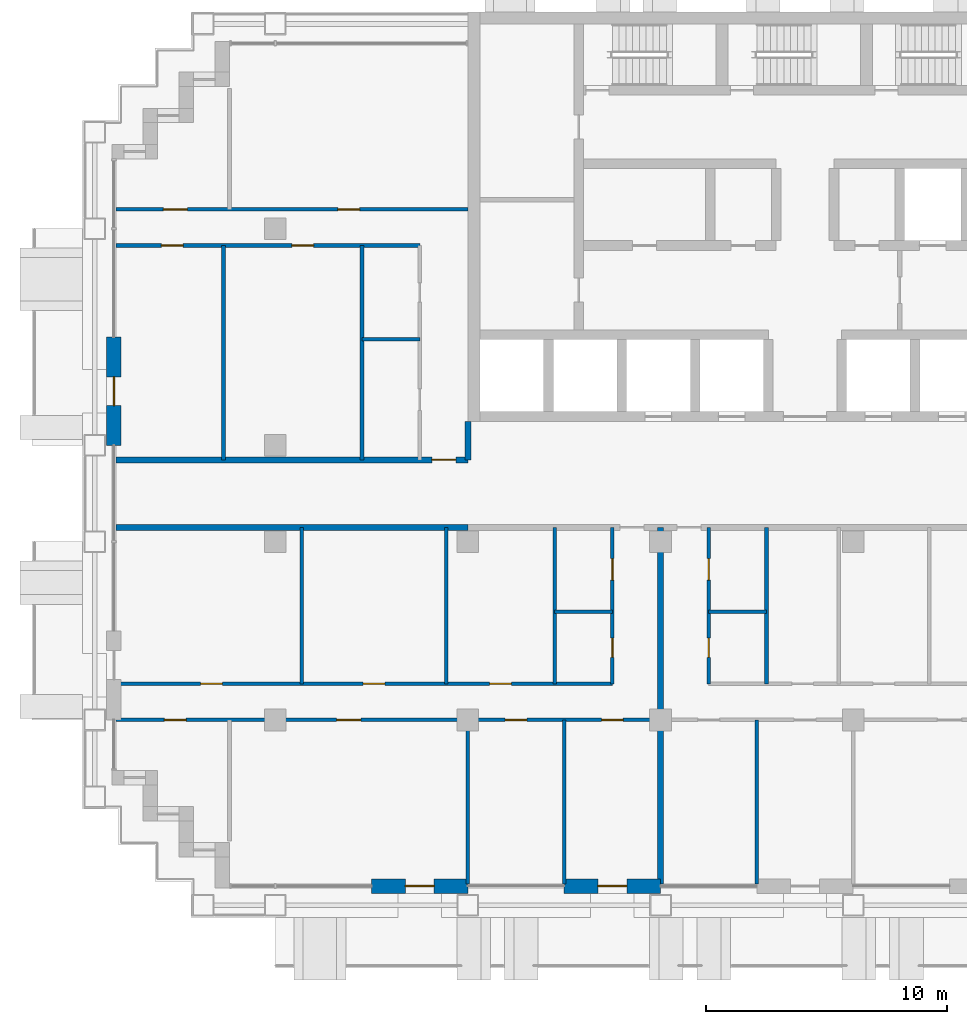
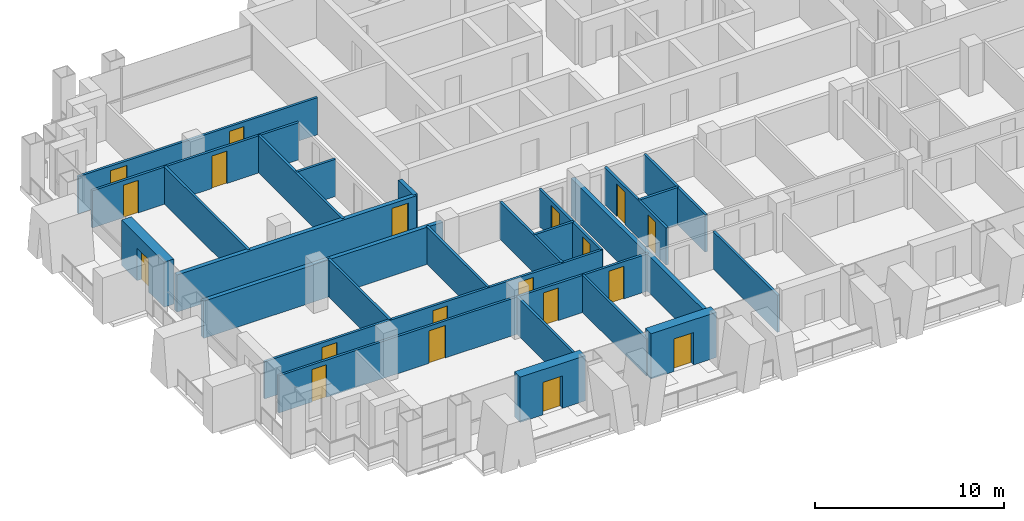
# One storey, part 9 of 18: 25 walls, 19 doors, 19 openings.
"""IFC4 building model written with IfcOpenShell, lengths in metres."""

from ifc_helpers import new_model, si_unit, direction, frame, frame_2d, origin, place, context, subcontext, project, spatial, rectangle, extrude, material, layer, layer_set, type_object, element, fill, save


model = new_model("IFC4")

# Units and contexts
model_context = context("Model", 3, precision=1e-05, world=origin(), true_north=direction((0.0, 1.0)))
body_context = subcontext(model_context, "Body", "Model", "MODEL_VIEW")
ifc_project = project(units=[si_unit("LENGTHUNIT", "METRE"), si_unit("AREAUNIT", "SQUARE_METRE"), si_unit("VOLUMEUNIT", "CUBIC_METRE"), si_unit("PLANEANGLEUNIT", "RADIAN"), si_unit("MASSUNIT", "GRAM", prefix="KILO")], contexts=[model_context])

# Site, building, storey
site_placement = place(None, origin())
site = spatial("IfcSite", under=ifc_project, at=site_placement, CompositionType="ELEMENT")
building_placement = place(site_placement, origin())
building = spatial("IfcBuilding", under=site, at=building_placement, Name="Vidyagriha Tower", CompositionType="ELEMENT")
storey_placement = place(building_placement, frame((0.0, 0.0, 83.89990234375)))
storey = spatial("IfcBuildingStorey", under=building, at=storey_placement, Name="L21", CompositionType="ELEMENT", Elevation=83.89990234375)

# Wall, opening, door
ifc_material_1 = material(Name="Precast concrete C40/50 with brick facing", Category="concrete")
ifc_layer_1 = layer(ifc_material_1, 0.60009765625)
ifc_layer_set_1 = layer_set([ifc_layer_1], Name="Precast concrete C40/50 with brick facing")
wall_type_1 = type_object("IfcWallType", Name="Brick-faced precast wall 600", PredefinedType="STANDARD", material=ifc_layer_set_1)
wall_1_placement = place(storey_placement, frame((-28.699951171875, 6.5, 0.0), z_axis=(0.0, 0.0, 1.0), x_axis=(0.0, -1.0, 0.0)))
wall_1 = element("IfcWall", 1, at=wall_1_placement, inside=storey, type_object=wall_type_1, Name="Brick door bay wall L21 R16.3", PredefinedType="STANDARD", context=body_context, shape_type="SweptSolid", body=[
    extrude(rectangle(XDim=4.5, YDim=0.60009765625, at=frame_2d((2.25, 0.0))), origin(), (0.0, 0.0, 1.0), 2.920166015625),
])
opening_1_placement = place(wall_1_placement, frame((1.64990234375, 0.0, 0.0)))
opening_1 = element("IfcOpeningElement", 2, at=opening_1_placement, cuts=wall_1, Name="Opening D21-72", PredefinedType="OPENING", context=body_context, shape_type="SweptSolid", body=[
    extrude(rectangle(XDim=1.199951171875, YDim=2.10009765625, at=frame_2d((0.60009765625, 1.050048828125))), frame((0.0, 0.31005859375, 0.0), z_axis=(0.0, -1.0, 0.0), x_axis=(1.0, 0.0, 0.0)), (0.0, 0.0, 1.0), 0.6201171875),
])
ifc_material_2 = material(Name="Aluminium framed glazed sliding door", Category="aluminium")
door_type_1 = type_object("IfcDoorType", Name="Balcony sliding door 1200x2100", OperationType="NOTDEFINED", PredefinedType="DOOR", material=ifc_material_2)
door_1_placement = place(opening_1_placement, origin())
door_1 = element("IfcDoor", 3, at=door_1_placement, inside=storey, type_object=door_type_1, Name="Door D21-72", OperationType="SLIDING_TO_LEFT", OverallHeight=2.10009765625, OverallWidth=1.199951171875, PredefinedType="DOOR", context=body_context, shape_type="SweptSolid", body=[
    extrude(rectangle(XDim=1.199951171875, YDim=2.10009765625, at=frame_2d((0.60009765625, 1.050048828125))), frame((0.0, 0.02490234375, 0.0), z_axis=(0.0, -1.0, 0.0), x_axis=(1.0, 0.0, 0.0)), (0.0, 0.0, 1.0), 0.050048828125),
])
fill(opening_1, door_1)

wall_2_placement = place(storey_placement, frame((-18.0, -16.300048828125, 0.0)))
wall_2 = element("IfcWall", 4, at=wall_2_placement, inside=storey, type_object=wall_type_1, Name="Brick door bay wall L21 R23.3", PredefinedType="STANDARD", context=body_context, shape_type="SweptSolid", body=[
    extrude(rectangle(XDim=4.0, YDim=0.60009765625, at=frame_2d((2.0, 0.0))), origin(), (0.0, 0.0, 1.0), 2.920166015625),
])
opening_2_placement = place(wall_2_placement, frame((1.39990234375, 0.0, 0.0)))
opening_2 = element("IfcOpeningElement", 5, at=opening_2_placement, cuts=wall_2, Name="Opening D21-74", PredefinedType="OPENING", context=body_context, shape_type="SweptSolid", body=[
    extrude(rectangle(XDim=1.199951171875, YDim=2.10009765625, at=frame_2d((0.60009765625, 1.050048828125))), frame((0.0, 0.31005859375, 0.0), z_axis=(0.0, -1.0, 0.0), x_axis=(1.0, 0.0, 0.0)), (0.0, 0.0, 1.0), 0.6201171875),
])
door_2_placement = place(opening_2_placement, origin())
door_2 = element("IfcDoor", 6, at=door_2_placement, inside=storey, type_object=door_type_1, Name="Door D21-74", OperationType="SLIDING_TO_LEFT", OverallHeight=2.10009765625, OverallWidth=1.199951171875, PredefinedType="DOOR", context=body_context, shape_type="SweptSolid", body=[
    extrude(rectangle(XDim=1.199951171875, YDim=2.10009765625, at=frame_2d((0.60009765625, 1.050048828125))), frame((0.0, 0.02490234375, 0.0), z_axis=(0.0, -1.0, 0.0), x_axis=(1.0, 0.0, 0.0)), (0.0, 0.0, 1.0), 0.050048828125),
])
fill(opening_2, door_2)

wall_3_placement = place(storey_placement, frame((-10.0, -16.300048828125, 0.0)))
wall_3 = element("IfcWall", 7, at=wall_3_placement, inside=storey, type_object=wall_type_1, Name="Brick door bay wall L21 R23.5", PredefinedType="STANDARD", context=body_context, shape_type="SweptSolid", body=[
    extrude(rectangle(XDim=4.0, YDim=0.60009765625, at=frame_2d((2.0, 0.0))), origin(), (0.0, 0.0, 1.0), 2.920166015625),
])
opening_3_placement = place(wall_3_placement, frame((1.39990234375, 0.0, 0.0)))
opening_3 = element("IfcOpeningElement", 8, at=opening_3_placement, cuts=wall_3, Name="Opening D21-75", PredefinedType="OPENING", context=body_context, shape_type="SweptSolid", body=[
    extrude(rectangle(XDim=1.199951171875, YDim=2.10009765625, at=frame_2d((0.60009765625, 1.050048828125))), frame((0.0, 0.31005859375, 0.0), z_axis=(0.0, -1.0, 0.0), x_axis=(1.0, 0.0, 0.0)), (0.0, 0.0, 1.0), 0.6201171875),
])
door_3_placement = place(opening_3_placement, origin())
door_3 = element("IfcDoor", 9, at=door_3_placement, inside=storey, type_object=door_type_1, Name="Door D21-75", OperationType="SLIDING_TO_LEFT", OverallHeight=2.10009765625, OverallWidth=1.199951171875, PredefinedType="DOOR", context=body_context, shape_type="SweptSolid", body=[
    extrude(rectangle(XDim=1.199951171875, YDim=2.10009765625, at=frame_2d((0.60009765625, 1.050048828125))), frame((0.0, 0.02490234375, 0.0), z_axis=(0.0, -1.0, 0.0), x_axis=(1.0, 0.0, 0.0)), (0.0, 0.0, 1.0), 0.050048828125),
])
fill(opening_3, door_3)

# Wall
ifc_material_3 = material(Name="Fired clay brick masonry", Category="masonry")
ifc_layer_2 = layer(ifc_material_3, 0.25)
ifc_layer_set_2 = layer_set([ifc_layer_2], Name="Fired clay brick masonry")
wall_type_2 = type_object("IfcWallType", Name="Fired clay brick corridor wall 250", PredefinedType="PARTITIONING", material=ifc_layer_set_2)
wall_4_placement = place(storey_placement, frame((-14.0, -1.39990234375, 0.0), z_axis=(0.0, 0.0, 1.0), x_axis=(-1.0, 0.0, 0.0)))
element("IfcWall", 10, at=wall_4_placement, inside=storey, type_object=wall_type_2, Name="Wall all-L21-w076", PredefinedType="PARTITIONING", context=body_context, shape_type="SweptSolid", body=[
    extrude(rectangle(XDim=14.6201171875, YDim=0.25, at=frame_2d((7.31005859375, 0.0))), origin(), (0.0, 0.0, 1.0), 2.400146484375),
])

# Wall, opening, door
wall_5_placement = place(storey_placement, frame((-28.6201171875, 1.39990234375, 0.0)))
wall_5 = element("IfcWall", 11, at=wall_5_placement, inside=storey, type_object=wall_type_2, Name="Wall all-L21-w093", PredefinedType="PARTITIONING", context=body_context, shape_type="SweptSolid", body=[
    extrude(rectangle(XDim=14.6201171875, YDim=0.25, at=frame_2d((7.31005859375, 0.0))), origin(), (0.0, 0.0, 1.0), 2.400146484375),
])
opening_4_placement = place(wall_5_placement, frame((13.1201171875, 0.0, 0.0)))
opening_4 = element("IfcOpeningElement", 12, at=opening_4_placement, cuts=wall_5, Name="Opening D21-56", PredefinedType="OPENING", context=body_context, shape_type="SweptSolid", body=[
    extrude(rectangle(XDim=1.0, YDim=2.10009765625, at=frame_2d((0.5, 1.050048828125))), frame((0.0, 0.135009765625, 0.0), z_axis=(0.0, -1.0, 0.0), x_axis=(1.0, 0.0, 0.0)), (0.0, 0.0, 1.0), 0.27001953125),
])
ifc_material_4 = material(Name="Fire-rated timber door leaf EI 60", Category="wood")
door_type_2 = type_object("IfcDoorType", Name="Flat entrance fire door 1000x2100", OperationType="NOTDEFINED", PredefinedType="DOOR", material=ifc_material_4)
door_4_placement = place(opening_4_placement, origin())
door_4 = element("IfcDoor", 13, at=door_4_placement, inside=storey, type_object=door_type_2, Name="Door D21-56", OperationType="SINGLE_SWING_RIGHT", OverallHeight=2.10009765625, OverallWidth=1.0, PredefinedType="DOOR", context=body_context, shape_type="SweptSolid", body=[
    extrude(rectangle(XDim=1.0, YDim=2.10009765625, at=frame_2d((0.5, 1.050048828125))), frame((0.0, 0.02490234375, 0.0), z_axis=(0.0, -1.0, 0.0), x_axis=(1.0, 0.0, 0.0)), (0.0, 0.0, 1.0), 0.050048828125),
])
fill(opening_4, door_4)

# Walls
wall_6_placement = place(storey_placement, frame((-14.0, 3.0, 0.0), z_axis=(0.0, 0.0, 1.0), x_axis=(0.0, -1.0, 0.0)))
element("IfcWall", 14, at=wall_6_placement, inside=storey, type_object=wall_type_2, Name="Wall all-L21-w128", PredefinedType="PARTITIONING", context=body_context, shape_type="SweptSolid", body=[
    extrude(rectangle(XDim=1.60009765625, YDim=0.25, at=frame_2d((0.800048828125, 0.0))), origin(), (0.0, 0.0, 1.0), 2.400146484375),
])
ifc_material_5 = material(Name="Fired clay brick masonry", Category="masonry")
ifc_layer_3 = layer(ifc_material_5, 0.25)
ifc_layer_set_3 = layer_set([ifc_layer_3], Name="Fired clay brick masonry")
wall_type_3 = type_object("IfcWallType", Name="Fired clay brick demising wall 250", PredefinedType="PARTITIONING", material=ifc_layer_set_3)
wall_7_placement = place(storey_placement, frame((-6.0, -1.39990234375, 0.0), z_axis=(0.0, 0.0, 1.0), x_axis=(0.0, -1.0, 0.0)))
element("IfcWall", 15, at=wall_7_placement, inside=storey, type_object=wall_type_3, Name="Wall all-L21-w039", PredefinedType="PARTITIONING", context=body_context, shape_type="SweptSolid", body=[
    extrude(rectangle(XDim=14.81005859375, YDim=0.25, at=frame_2d((7.405029296875, 0.0))), origin(), (0.0, 0.0, 1.0), 2.400146484375),
])
ifc_material_6 = material(Name="Gypsum board partition")
ifc_layer_4 = layer(ifc_material_6, 0.14990234375)
ifc_layer_set_4 = layer_set([ifc_layer_4], Name="Gypsum board partition")
wall_type_4 = type_object("IfcWallType", Name="Gypsum board partition 150", PredefinedType="PARTITIONING", material=ifc_layer_set_4)
wall_8_placement = place(storey_placement, frame((-8.0, -4.89990234375, 0.0), z_axis=(0.0, 0.0, 1.0), x_axis=(-1.0, 0.0, 0.0)))
element("IfcWall", 16, at=wall_8_placement, inside=storey, type_object=wall_type_4, Name="Wall all-L21-w004", PredefinedType="PARTITIONING", context=body_context, shape_type="SweptSolid", body=[
    extrude(rectangle(XDim=2.39990234375, YDim=0.14990234375, at=frame_2d((1.199951171875, 0.0))), origin(), (0.0, 0.0, 1.0), 2.400146484375),
])
for number, where, z_axis, x_axis, name in (
    (17, (-10.39990234375, -7.89990234375, 0.0), (0.0, 0.0, 1.0), (0.0, 1.0, 0.0), "Wall all-L21-w005"),
    (18, (-14.89990234375, -7.89990234375, 0.0), (0.0, 0.0, 1.0), (0.0, 1.0, 0.0), "Wall all-L21-w006"),
    (19, (-20.89990234375, -7.89990234375, 0.0), (0.0, 0.0, 1.0), (0.0, 1.0, 0.0), "Wall all-L21-w007"),
):
    element("IfcWall", number, at=place(storey_placement, frame(where, z_axis=z_axis, x_axis=x_axis)), inside=storey, type_object=wall_type_4, Name=name, PredefinedType="PARTITIONING", context=body_context, shape_type="SweptSolid", body=[
        extrude(rectangle(XDim=6.5, YDim=0.14990234375, at=frame_2d((3.25, 0.0))), origin(), (0.0, 0.0, 1.0), 2.400146484375),
    ])

# Wall, openings, doors
wall_9_placement = place(storey_placement, frame((-28.610107421875, -7.89990234375, 0.0)))
wall_9 = element("IfcWall", 20, at=wall_9_placement, inside=storey, type_object=wall_type_4, Name="Wall all-L21-w008", PredefinedType="PARTITIONING", context=body_context, shape_type="SweptSolid", body=[
    extrude(rectangle(XDim=20.610107421875, YDim=0.14990234375, at=frame_2d((10.30517578125, 0.0))), origin(), (0.0, 0.0, 1.0), 2.400146484375),
])
opening_5_placement = place(wall_9_placement, frame((15.510009765625, 0.0, 0.0)))
opening_5 = element("IfcOpeningElement", 21, at=opening_5_placement, cuts=wall_9, Name="Opening D21-16", PredefinedType="OPENING", context=body_context, shape_type="SweptSolid", body=[
    extrude(rectangle(XDim=0.89990234375, YDim=2.10009765625, at=frame_2d((0.449951171875, 1.050048828125))), frame((0.0, 0.0849609375, 0.0), z_axis=(0.0, -1.0, 0.0), x_axis=(1.0, 0.0, 0.0)), (0.0, 0.0, 1.0), 0.169921875),
])
opening_6_placement = place(wall_9_placement, frame((10.260009765625, 0.0, 0.0)))
opening_6 = element("IfcOpeningElement", 22, at=opening_6_placement, cuts=wall_9, Name="Opening D21-17", PredefinedType="OPENING", context=body_context, shape_type="SweptSolid", body=[
    extrude(rectangle(XDim=0.89990234375, YDim=2.10009765625, at=frame_2d((0.449951171875, 1.050048828125))), frame((0.0, 0.0849609375, 0.0), z_axis=(0.0, -1.0, 0.0), x_axis=(1.0, 0.0, 0.0)), (0.0, 0.0, 1.0), 0.169921875),
])
opening_7_placement = place(wall_9_placement, frame((3.510009765625, 0.0, 0.0)))
opening_7 = element("IfcOpeningElement", 23, at=opening_7_placement, cuts=wall_9, Name="Opening D21-18", PredefinedType="OPENING", context=body_context, shape_type="SweptSolid", body=[
    extrude(rectangle(XDim=0.89990234375, YDim=2.10009765625, at=frame_2d((0.449951171875, 1.050048828125))), frame((0.0, 0.0849609375, 0.0), z_axis=(0.0, -1.0, 0.0), x_axis=(1.0, 0.0, 0.0)), (0.0, 0.0, 1.0), 0.169921875),
])
ifc_material_7 = material(Name="Timber door leaf", Category="wood")
door_type_3 = type_object("IfcDoorType", Name="Room door 900x2100", OperationType="NOTDEFINED", PredefinedType="DOOR", material=ifc_material_7)
door_5_placement = place(opening_5_placement, origin())
door_5 = element("IfcDoor", 24, at=door_5_placement, inside=storey, type_object=door_type_3, Name="Door D21-16", OperationType="SINGLE_SWING_RIGHT", OverallHeight=2.10009765625, OverallWidth=0.89990234375, PredefinedType="DOOR", context=body_context, shape_type="SweptSolid", body=[
    extrude(rectangle(XDim=0.89990234375, YDim=2.10009765625, at=frame_2d((0.449951171875, 1.050048828125))), frame((0.0, 0.02490234375, 0.0), z_axis=(0.0, -1.0, 0.0), x_axis=(1.0, 0.0, 0.0)), (0.0, 0.0, 1.0), 0.050048828125),
])
fill(opening_5, door_5)
door_6_placement = place(opening_6_placement, origin())
door_6 = element("IfcDoor", 25, at=door_6_placement, inside=storey, type_object=door_type_3, Name="Door D21-17", OperationType="SINGLE_SWING_RIGHT", OverallHeight=2.10009765625, OverallWidth=0.89990234375, PredefinedType="DOOR", context=body_context, shape_type="SweptSolid", body=[
    extrude(rectangle(XDim=0.89990234375, YDim=2.10009765625, at=frame_2d((0.449951171875, 1.050048828125))), frame((0.0, 0.02490234375, 0.0), z_axis=(0.0, -1.0, 0.0), x_axis=(1.0, 0.0, 0.0)), (0.0, 0.0, 1.0), 0.050048828125),
])
fill(opening_6, door_6)
door_7_placement = place(opening_7_placement, origin())
door_7 = element("IfcDoor", 26, at=door_7_placement, inside=storey, type_object=door_type_3, Name="Door D21-18", OperationType="SINGLE_SWING_RIGHT", OverallHeight=2.10009765625, OverallWidth=0.89990234375, PredefinedType="DOOR", context=body_context, shape_type="SweptSolid", body=[
    extrude(rectangle(XDim=0.89990234375, YDim=2.10009765625, at=frame_2d((0.449951171875, 1.050048828125))), frame((0.0, 0.02490234375, 0.0), z_axis=(0.0, -1.0, 0.0), x_axis=(1.0, 0.0, 0.0)), (0.0, 0.0, 1.0), 0.050048828125),
])
fill(opening_7, door_7)

wall_10_placement = place(storey_placement, frame((-6.0, -9.39990234375, 0.0), z_axis=(0.0, 0.0, 1.0), x_axis=(-1.0, 0.0, 0.0)))
wall_10 = element("IfcWall", 27, at=wall_10_placement, inside=storey, type_object=wall_type_4, Name="Wall all-L21-w012", PredefinedType="PARTITIONING", context=body_context, shape_type="SweptSolid", body=[
    extrude(rectangle(XDim=22.610107421875, YDim=0.14990234375, at=frame_2d((11.30517578125, 0.0))), origin(), (0.0, 0.0, 1.0), 2.400146484375),
])
opening_8_placement = place(wall_10_placement, frame((19.699951171875, 0.0, 0.0)))
opening_8 = element("IfcOpeningElement", 28, at=opening_8_placement, cuts=wall_10, Name="Opening D21-19", PredefinedType="OPENING", context=body_context, shape_type="SweptSolid", body=[
    extrude(rectangle(XDim=0.89990234375, YDim=2.10009765625, at=frame_2d((0.449951171875, 1.050048828125))), frame((0.0, 0.0849609375, 0.0), z_axis=(0.0, -1.0, 0.0), x_axis=(1.0, 0.0, 0.0)), (0.0, 0.0, 1.0), 0.169921875),
])
opening_9_placement = place(wall_10_placement, frame((12.449951171875, 0.0, 0.0)))
opening_9 = element("IfcOpeningElement", 29, at=opening_9_placement, cuts=wall_10, Name="Opening D21-20", PredefinedType="OPENING", context=body_context, shape_type="SweptSolid", body=[
    extrude(rectangle(XDim=1.0, YDim=2.10009765625, at=frame_2d((0.5, 1.050048828125))), frame((0.0, 0.0849609375, 0.0), z_axis=(0.0, -1.0, 0.0), x_axis=(1.0, 0.0, 0.0)), (0.0, 0.0, 1.0), 0.169921875),
])
opening_10_placement = place(wall_10_placement, frame((5.550048828125, 0.0, 0.0)))
opening_10 = element("IfcOpeningElement", 30, at=opening_10_placement, cuts=wall_10, Name="Opening D21-21", PredefinedType="OPENING", context=body_context, shape_type="SweptSolid", body=[
    extrude(rectangle(XDim=0.89990234375, YDim=2.10009765625, at=frame_2d((0.449951171875, 1.050048828125))), frame((0.0, 0.0849609375, 0.0), z_axis=(0.0, -1.0, 0.0), x_axis=(1.0, 0.0, 0.0)), (0.0, 0.0, 1.0), 0.169921875),
])
opening_11_placement = place(wall_10_placement, frame((1.550048828125, 0.0, 0.0)))
opening_11 = element("IfcOpeningElement", 31, at=opening_11_placement, cuts=wall_10, Name="Opening D21-22", PredefinedType="OPENING", context=body_context, shape_type="SweptSolid", body=[
    extrude(rectangle(XDim=0.89990234375, YDim=2.10009765625, at=frame_2d((0.449951171875, 1.050048828125))), frame((0.0, 0.0849609375, 0.0), z_axis=(0.0, -1.0, 0.0), x_axis=(1.0, 0.0, 0.0)), (0.0, 0.0, 1.0), 0.169921875),
])
ifc_material_8 = material(Name="Timber door leaf", Category="wood")
door_type_4 = type_object("IfcDoorType", Name="Room door 1000x2100", OperationType="NOTDEFINED", PredefinedType="DOOR", material=ifc_material_8)
door_8_placement = place(opening_9_placement, origin())
door_8 = element("IfcDoor", 32, at=door_8_placement, inside=storey, type_object=door_type_4, Name="Door D21-20", OperationType="SINGLE_SWING_RIGHT", OverallHeight=2.10009765625, OverallWidth=1.0, PredefinedType="DOOR", context=body_context, shape_type="SweptSolid", body=[
    extrude(rectangle(XDim=1.0, YDim=2.10009765625, at=frame_2d((0.5, 1.050048828125))), frame((0.0, 0.02490234375, 0.0), z_axis=(0.0, -1.0, 0.0), x_axis=(1.0, 0.0, 0.0)), (0.0, 0.0, 1.0), 0.050048828125),
])
fill(opening_9, door_8)
door_9_placement = place(opening_8_placement, origin())
door_9 = element("IfcDoor", 33, at=door_9_placement, inside=storey, type_object=door_type_3, Name="Door D21-19", OperationType="SINGLE_SWING_RIGHT", OverallHeight=2.10009765625, OverallWidth=0.89990234375, PredefinedType="DOOR", context=body_context, shape_type="SweptSolid", body=[
    extrude(rectangle(XDim=0.89990234375, YDim=2.10009765625, at=frame_2d((0.449951171875, 1.050048828125))), frame((0.0, 0.02490234375, 0.0), z_axis=(0.0, -1.0, 0.0), x_axis=(1.0, 0.0, 0.0)), (0.0, 0.0, 1.0), 0.050048828125),
])
fill(opening_8, door_9)
door_10_placement = place(opening_10_placement, origin())
door_10 = element("IfcDoor", 34, at=door_10_placement, inside=storey, type_object=door_type_3, Name="Door D21-21", OperationType="SINGLE_SWING_RIGHT", OverallHeight=2.10009765625, OverallWidth=0.89990234375, PredefinedType="DOOR", context=body_context, shape_type="SweptSolid", body=[
    extrude(rectangle(XDim=0.89990234375, YDim=2.10009765625, at=frame_2d((0.449951171875, 1.050048828125))), frame((0.0, 0.02490234375, 0.0), z_axis=(0.0, -1.0, 0.0), x_axis=(1.0, 0.0, 0.0)), (0.0, 0.0, 1.0), 0.050048828125),
])
fill(opening_10, door_10)
door_11_placement = place(opening_11_placement, origin())
door_11 = element("IfcDoor", 35, at=door_11_placement, inside=storey, type_object=door_type_3, Name="Door D21-22", OperationType="SINGLE_SWING_RIGHT", OverallHeight=2.10009765625, OverallWidth=0.89990234375, PredefinedType="DOOR", context=body_context, shape_type="SweptSolid", body=[
    extrude(rectangle(XDim=0.89990234375, YDim=2.10009765625, at=frame_2d((0.449951171875, 1.050048828125))), frame((0.0, 0.02490234375, 0.0), z_axis=(0.0, -1.0, 0.0), x_axis=(1.0, 0.0, 0.0)), (0.0, 0.0, 1.0), 0.050048828125),
])
fill(opening_11, door_11)

# Walls
wall_11_placement = place(storey_placement, frame((-14.0, -9.39990234375, 0.0), z_axis=(0.0, 0.0, 1.0), x_axis=(0.0, -1.0, 0.0)))
element("IfcWall", 36, at=wall_11_placement, inside=storey, type_object=wall_type_4, Name="Wall all-L21-w018", PredefinedType="PARTITIONING", context=body_context, shape_type="SweptSolid", body=[
    extrude(rectangle(XDim=6.81005859375, YDim=0.14990234375, at=frame_2d((3.405029296875, 0.0))), origin(), (0.0, 0.0, 1.0), 2.400146484375),
])
wall_12_placement = place(storey_placement, frame((-10.0, -9.39990234375, 0.0), z_axis=(0.0, 0.0, 1.0), x_axis=(0.0, -1.0, 0.0)))
element("IfcWall", 37, at=wall_12_placement, inside=storey, type_object=wall_type_4, Name="Wall all-L21-w019", PredefinedType="PARTITIONING", context=body_context, shape_type="SweptSolid", body=[
    extrude(rectangle(XDim=6.821044921875, YDim=0.14990234375, at=frame_2d((3.41064453125, 0.0))), origin(), (0.0, 0.0, 1.0), 2.400146484375),
])
wall_13_placement = place(storey_placement, frame((-1.60009765625, -4.89990234375, 0.0), z_axis=(0.0, 0.0, 1.0), x_axis=(-1.0, 0.0, 0.0)))
element("IfcWall", 38, at=wall_13_placement, inside=storey, type_object=wall_type_4, Name="Wall all-L21-w024", PredefinedType="PARTITIONING", context=body_context, shape_type="SweptSolid", body=[
    extrude(rectangle(XDim=2.39990234375, YDim=0.14990234375, at=frame_2d((1.199951171875, 0.0))), origin(), (0.0, 0.0, 1.0), 2.400146484375),
])
wall_14_placement = place(storey_placement, frame((-1.60009765625, -1.39990234375, 0.0), z_axis=(0.0, 0.0, 1.0), x_axis=(0.0, -1.0, 0.0)))
element("IfcWall", 39, at=wall_14_placement, inside=storey, type_object=wall_type_4, Name="Wall all-L21-w025", PredefinedType="PARTITIONING", context=body_context, shape_type="SweptSolid", body=[
    extrude(rectangle(XDim=6.5, YDim=0.14990234375, at=frame_2d((3.25, 0.0))), origin(), (0.0, 0.0, 1.0), 2.400146484375),
])
wall_15_placement = place(storey_placement, frame((-2.0, -9.39990234375, 0.0), z_axis=(0.0, 0.0, 1.0), x_axis=(0.0, -1.0, 0.0)))
element("IfcWall", 40, at=wall_15_placement, inside=storey, type_object=wall_type_4, Name="Wall all-L21-w036", PredefinedType="PARTITIONING", context=body_context, shape_type="SweptSolid", body=[
    extrude(rectangle(XDim=6.821044921875, YDim=0.14990234375, at=frame_2d((3.41064453125, 0.0))), origin(), (0.0, 0.0, 1.0), 2.400146484375),
])
wall_16_placement = place(storey_placement, frame((-18.39990234375, 6.39990234375, 0.0)))
element("IfcWall", 41, at=wall_16_placement, inside=storey, type_object=wall_type_4, Name="Wall all-L21-w082", PredefinedType="PARTITIONING", context=body_context, shape_type="SweptSolid", body=[
    extrude(rectangle(XDim=2.39990234375, YDim=0.14990234375, at=frame_2d((1.199951171875, 0.0))), origin(), (0.0, 0.0, 1.0), 2.400146484375),
])
for number, where, z_axis, x_axis, name in (
    (42, (-18.39990234375, 1.39990234375, 0.0), (0.0, 0.0, 1.0), (0.0, 1.0, 0.0), "Wall all-L21-w083"),
    (43, (-24.14990234375, 1.39990234375, 0.0), (0.0, 0.0, 1.0), (0.0, 1.0, 0.0), "Wall all-L21-w084"),
):
    element("IfcWall", number, at=place(storey_placement, frame(where, z_axis=z_axis, x_axis=x_axis)), inside=storey, type_object=wall_type_4, Name=name, PredefinedType="PARTITIONING", context=body_context, shape_type="SweptSolid", body=[
        extrude(rectangle(XDim=8.900146484375, YDim=0.14990234375, at=frame_2d((4.4501953125, 0.0))), origin(), (0.0, 0.0, 1.0), 2.400146484375),
    ])

# Wall, openings, doors
wall_17_placement = place(storey_placement, frame((-16.0, 10.300048828125, 0.0), z_axis=(0.0, 0.0, 1.0), x_axis=(-1.0, 0.0, 0.0)))
wall_17 = element("IfcWall", 44, at=wall_17_placement, inside=storey, type_object=wall_type_4, Name="Wall all-L21-w085", PredefinedType="PARTITIONING", context=body_context, shape_type="SweptSolid", body=[
    extrude(rectangle(XDim=12.6201171875, YDim=0.14990234375, at=frame_2d((6.31005859375, 0.0))), origin(), (0.0, 0.0, 1.0), 2.400146484375),
])
opening_12_placement = place(wall_17_placement, frame((4.410888671875, 0.0, 0.0)))
opening_12 = element("IfcOpeningElement", 45, at=opening_12_placement, cuts=wall_17, Name="Opening D21-52", PredefinedType="OPENING", context=body_context, shape_type="SweptSolid", body=[
    extrude(rectangle(XDim=0.89990234375, YDim=2.10009765625, at=frame_2d((0.449951171875, 1.050048828125))), frame((0.0, 0.0849609375, 0.0), z_axis=(0.0, -1.0, 0.0), x_axis=(1.0, 0.0, 0.0)), (0.0, 0.0, 1.0), 0.169921875),
])
opening_13_placement = place(wall_17_placement, frame((9.824951171875, 0.0, 0.0)))
opening_13 = element("IfcOpeningElement", 46, at=opening_13_placement, cuts=wall_17, Name="Opening D21-53", PredefinedType="OPENING", context=body_context, shape_type="SweptSolid", body=[
    extrude(rectangle(XDim=0.89990234375, YDim=2.10009765625, at=frame_2d((0.449951171875, 1.050048828125))), frame((0.0, 0.0849609375, 0.0), z_axis=(0.0, -1.0, 0.0), x_axis=(1.0, 0.0, 0.0)), (0.0, 0.0, 1.0), 0.169921875),
])
door_12_placement = place(opening_12_placement, origin())
door_12 = element("IfcDoor", 47, at=door_12_placement, inside=storey, type_object=door_type_3, Name="Door D21-52", OperationType="SINGLE_SWING_LEFT", OverallHeight=2.10009765625, OverallWidth=0.89990234375, PredefinedType="DOOR", context=body_context, shape_type="SweptSolid", body=[
    extrude(rectangle(XDim=0.89990234375, YDim=2.10009765625, at=frame_2d((0.449951171875, 1.050048828125))), frame((0.0, 0.02490234375, 0.0), z_axis=(0.0, -1.0, 0.0), x_axis=(1.0, 0.0, 0.0)), (0.0, 0.0, 1.0), 0.050048828125),
])
fill(opening_12, door_12)
door_13_placement = place(opening_13_placement, origin())
door_13 = element("IfcDoor", 48, at=door_13_placement, inside=storey, type_object=door_type_3, Name="Door D21-53", OperationType="SINGLE_SWING_RIGHT", OverallHeight=2.10009765625, OverallWidth=0.89990234375, PredefinedType="DOOR", context=body_context, shape_type="SweptSolid", body=[
    extrude(rectangle(XDim=0.89990234375, YDim=2.10009765625, at=frame_2d((0.449951171875, 1.050048828125))), frame((0.0, 0.02490234375, 0.0), z_axis=(0.0, -1.0, 0.0), x_axis=(1.0, 0.0, 0.0)), (0.0, 0.0, 1.0), 0.050048828125),
])
fill(opening_13, door_13)

wall_18_placement = place(storey_placement, frame((-28.6201171875, 11.800048828125, 0.0)))
wall_18 = element("IfcWall", 49, at=wall_18_placement, inside=storey, type_object=wall_type_4, Name="Wall all-L21-w088", PredefinedType="PARTITIONING", context=body_context, shape_type="SweptSolid", body=[
    extrude(rectangle(XDim=14.6201171875, YDim=0.14990234375, at=frame_2d((7.31005859375, 0.0))), origin(), (0.0, 0.0, 1.0), 2.400146484375),
])
opening_14_placement = place(wall_18_placement, frame((1.969970703125, 0.0, 0.0)))
opening_14 = element("IfcOpeningElement", 50, at=opening_14_placement, cuts=wall_18, Name="Opening D21-54", PredefinedType="OPENING", context=body_context, shape_type="SweptSolid", body=[
    extrude(rectangle(XDim=1.0, YDim=2.10009765625, at=frame_2d((0.5, 1.050048828125))), frame((0.0, 0.0849609375, 0.0), z_axis=(0.0, -1.0, 0.0), x_axis=(1.0, 0.0, 0.0)), (0.0, 0.0, 1.0), 0.169921875),
])
opening_15_placement = place(wall_18_placement, frame((9.219970703125, 0.0, 0.0)))
opening_15 = element("IfcOpeningElement", 51, at=opening_15_placement, cuts=wall_18, Name="Opening D21-55", PredefinedType="OPENING", context=body_context, shape_type="SweptSolid", body=[
    extrude(rectangle(XDim=0.89990234375, YDim=2.10009765625, at=frame_2d((0.449951171875, 1.050048828125))), frame((0.0, 0.0849609375, 0.0), z_axis=(0.0, -1.0, 0.0), x_axis=(1.0, 0.0, 0.0)), (0.0, 0.0, 1.0), 0.169921875),
])
door_14_placement = place(opening_14_placement, origin())
door_14 = element("IfcDoor", 52, at=door_14_placement, inside=storey, type_object=door_type_4, Name="Door D21-54", OperationType="SINGLE_SWING_RIGHT", OverallHeight=2.10009765625, OverallWidth=1.0, PredefinedType="DOOR", context=body_context, shape_type="SweptSolid", body=[
    extrude(rectangle(XDim=1.0, YDim=2.10009765625, at=frame_2d((0.5, 1.050048828125))), frame((0.0, 0.02490234375, 0.0), z_axis=(0.0, -1.0, 0.0), x_axis=(1.0, 0.0, 0.0)), (0.0, 0.0, 1.0), 0.050048828125),
])
fill(opening_14, door_14)
door_15_placement = place(opening_15_placement, origin())
door_15 = element("IfcDoor", 53, at=door_15_placement, inside=storey, type_object=door_type_3, Name="Door D21-55", OperationType="SINGLE_SWING_RIGHT", OverallHeight=2.10009765625, OverallWidth=0.89990234375, PredefinedType="DOOR", context=body_context, shape_type="SweptSolid", body=[
    extrude(rectangle(XDim=0.89990234375, YDim=2.10009765625, at=frame_2d((0.449951171875, 1.050048828125))), frame((0.0, 0.02490234375, 0.0), z_axis=(0.0, -1.0, 0.0), x_axis=(1.0, 0.0, 0.0)), (0.0, 0.0, 1.0), 0.050048828125),
])
fill(opening_15, door_15)

ifc_material_9 = material(Name="Moisture resistant gypsum board partition")
ifc_layer_5 = layer(ifc_material_9, 0.14990234375)
ifc_layer_set_5 = layer_set([ifc_layer_5], Name="Moisture resistant gypsum board partition")
wall_type_5 = type_object("IfcWallType", Name="Gypsum board wet-area partition 150", PredefinedType="PARTITIONING", material=ifc_layer_set_5)
wall_19_placement = place(storey_placement, frame((-8.0, -7.89990234375, 0.0), z_axis=(0.0, 0.0, 1.0), x_axis=(0.0, 1.0, 0.0)))
wall_19 = element("IfcWall", 54, at=wall_19_placement, inside=storey, type_object=wall_type_5, Name="Wall all-L21-w001", PredefinedType="PARTITIONING", context=body_context, shape_type="SweptSolid", body=[
    extrude(rectangle(XDim=6.5, YDim=0.14990234375, at=frame_2d((3.25, 0.0))), origin(), (0.0, 0.0, 1.0), 2.400146484375),
])
opening_16_placement = place(wall_19_placement, frame((4.300048828125, 0.0, 0.0)))
opening_16 = element("IfcOpeningElement", 55, at=opening_16_placement, cuts=wall_19, Name="Opening D21-14", PredefinedType="OPENING", context=body_context, shape_type="SweptSolid", body=[
    extrude(rectangle(XDim=0.89990234375, YDim=2.10009765625, at=frame_2d((0.449951171875, 1.050048828125))), frame((0.0, 0.0849609375, 0.0), z_axis=(0.0, -1.0, 0.0), x_axis=(1.0, 0.0, 0.0)), (0.0, 0.0, 1.0), 0.169921875),
])
opening_17_placement = place(wall_19_placement, frame((1.10009765625, 0.0, 0.0)))
opening_17 = element("IfcOpeningElement", 56, at=opening_17_placement, cuts=wall_19, Name="Opening D21-15", PredefinedType="OPENING", context=body_context, shape_type="SweptSolid", body=[
    extrude(rectangle(XDim=0.800048828125, YDim=2.10009765625, at=frame_2d((0.39990234375, 1.050048828125))), frame((0.0, 0.0849609375, 0.0), z_axis=(0.0, -1.0, 0.0), x_axis=(1.0, 0.0, 0.0)), (0.0, 0.0, 1.0), 0.169921875),
])
ifc_material_10 = material(Name="Timber door leaf", Category="wood")
door_type_5 = type_object("IfcDoorType", Name="Bathroom door 800x2100", OperationType="NOTDEFINED", PredefinedType="DOOR", material=ifc_material_10)
door_16_placement = place(opening_17_placement, origin())
door_16 = element("IfcDoor", 57, at=door_16_placement, inside=storey, type_object=door_type_5, Name="Door D21-15", OperationType="SINGLE_SWING_RIGHT", OverallHeight=2.10009765625, OverallWidth=0.800048828125, PredefinedType="DOOR", context=body_context, shape_type="SweptSolid", body=[
    extrude(rectangle(XDim=0.800048828125, YDim=2.10009765625, at=frame_2d((0.39990234375, 1.050048828125))), frame((0.0, 0.02490234375, 0.0), z_axis=(0.0, -1.0, 0.0), x_axis=(1.0, 0.0, 0.0)), (0.0, 0.0, 1.0), 0.050048828125),
])
fill(opening_17, door_16)
ifc_material_11 = material(Name="Timber door leaf", Category="wood")
door_type_6 = type_object("IfcDoorType", Name="Kitchen door 900x2100", OperationType="NOTDEFINED", PredefinedType="DOOR", material=ifc_material_11)
door_17_placement = place(opening_16_placement, origin())
door_17 = element("IfcDoor", 58, at=door_17_placement, inside=storey, type_object=door_type_6, Name="Door D21-14", OperationType="SINGLE_SWING_LEFT", OverallHeight=2.10009765625, OverallWidth=0.89990234375, PredefinedType="DOOR", context=body_context, shape_type="SweptSolid", body=[
    extrude(rectangle(XDim=0.89990234375, YDim=2.10009765625, at=frame_2d((0.449951171875, 1.050048828125))), frame((0.0, 0.02490234375, 0.0), z_axis=(0.0, -1.0, 0.0), x_axis=(1.0, 0.0, 0.0)), (0.0, 0.0, 1.0), 0.050048828125),
])
fill(opening_16, door_17)

wall_20_placement = place(storey_placement, frame((-4.0, -1.39990234375, 0.0), z_axis=(0.0, 0.0, 1.0), x_axis=(0.0, -1.0, 0.0)))
wall_20 = element("IfcWall", 59, at=wall_20_placement, inside=storey, type_object=wall_type_5, Name="Wall all-L21-w021", PredefinedType="PARTITIONING", context=body_context, shape_type="SweptSolid", body=[
    extrude(rectangle(XDim=6.5, YDim=0.14990234375, at=frame_2d((3.25, 0.0))), origin(), (0.0, 0.0, 1.0), 2.400146484375),
])
opening_18_placement = place(wall_20_placement, frame((1.300048828125, 0.0, 0.0)))
opening_18 = element("IfcOpeningElement", 60, at=opening_18_placement, cuts=wall_20, Name="Opening D21-24", PredefinedType="OPENING", context=body_context, shape_type="SweptSolid", body=[
    extrude(rectangle(XDim=0.89990234375, YDim=2.10009765625, at=frame_2d((0.449951171875, 1.050048828125))), frame((0.0, 0.0849609375, 0.0), z_axis=(0.0, -1.0, 0.0), x_axis=(1.0, 0.0, 0.0)), (0.0, 0.0, 1.0), 0.169921875),
])
opening_19_placement = place(wall_20_placement, frame((4.60009765625, 0.0, 0.0)))
opening_19 = element("IfcOpeningElement", 61, at=opening_19_placement, cuts=wall_20, Name="Opening D21-25", PredefinedType="OPENING", context=body_context, shape_type="SweptSolid", body=[
    extrude(rectangle(XDim=0.800048828125, YDim=2.10009765625, at=frame_2d((0.39990234375, 1.050048828125))), frame((0.0, 0.0849609375, 0.0), z_axis=(0.0, -1.0, 0.0), x_axis=(1.0, 0.0, 0.0)), (0.0, 0.0, 1.0), 0.169921875),
])
door_18_placement = place(opening_19_placement, origin())
door_18 = element("IfcDoor", 62, at=door_18_placement, inside=storey, type_object=door_type_5, Name="Door D21-25", OperationType="SINGLE_SWING_RIGHT", OverallHeight=2.10009765625, OverallWidth=0.800048828125, PredefinedType="DOOR", context=body_context, shape_type="SweptSolid", body=[
    extrude(rectangle(XDim=0.800048828125, YDim=2.10009765625, at=frame_2d((0.39990234375, 1.050048828125))), frame((0.0, 0.02490234375, 0.0), z_axis=(0.0, -1.0, 0.0), x_axis=(1.0, 0.0, 0.0)), (0.0, 0.0, 1.0), 0.050048828125),
])
fill(opening_19, door_18)
door_19_placement = place(opening_18_placement, origin())
door_19 = element("IfcDoor", 63, at=door_19_placement, inside=storey, type_object=door_type_6, Name="Door D21-24", OperationType="SINGLE_SWING_LEFT", OverallHeight=2.10009765625, OverallWidth=0.89990234375, PredefinedType="DOOR", context=body_context, shape_type="SweptSolid", body=[
    extrude(rectangle(XDim=0.89990234375, YDim=2.10009765625, at=frame_2d((0.449951171875, 1.050048828125))), frame((0.0, 0.02490234375, 0.0), z_axis=(0.0, -1.0, 0.0), x_axis=(1.0, 0.0, 0.0)), (0.0, 0.0, 1.0), 0.050048828125),
])
fill(opening_18, door_19)

save(model, "model.ifc")
